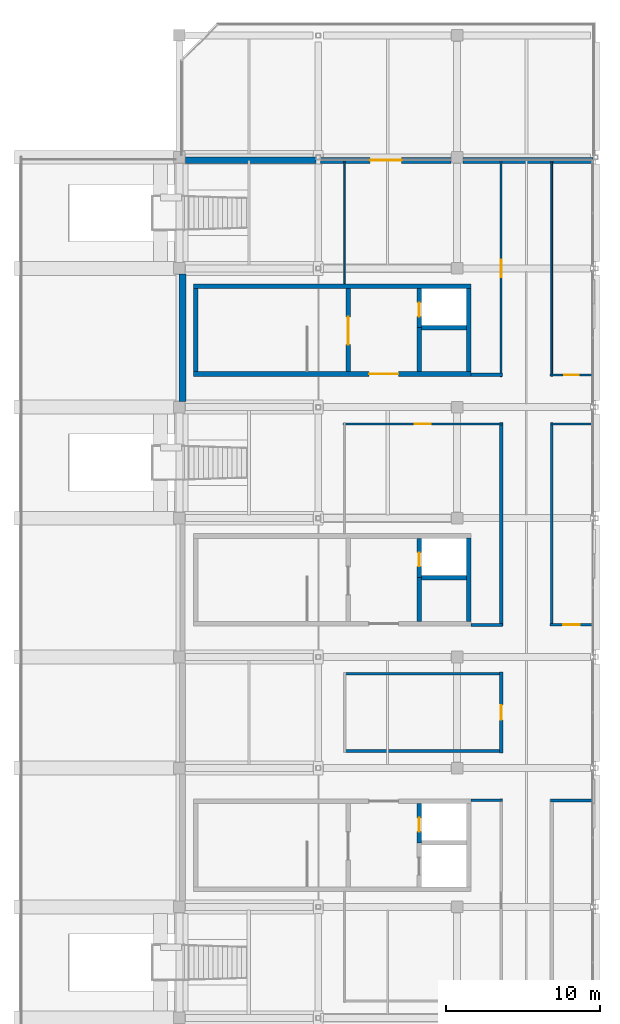
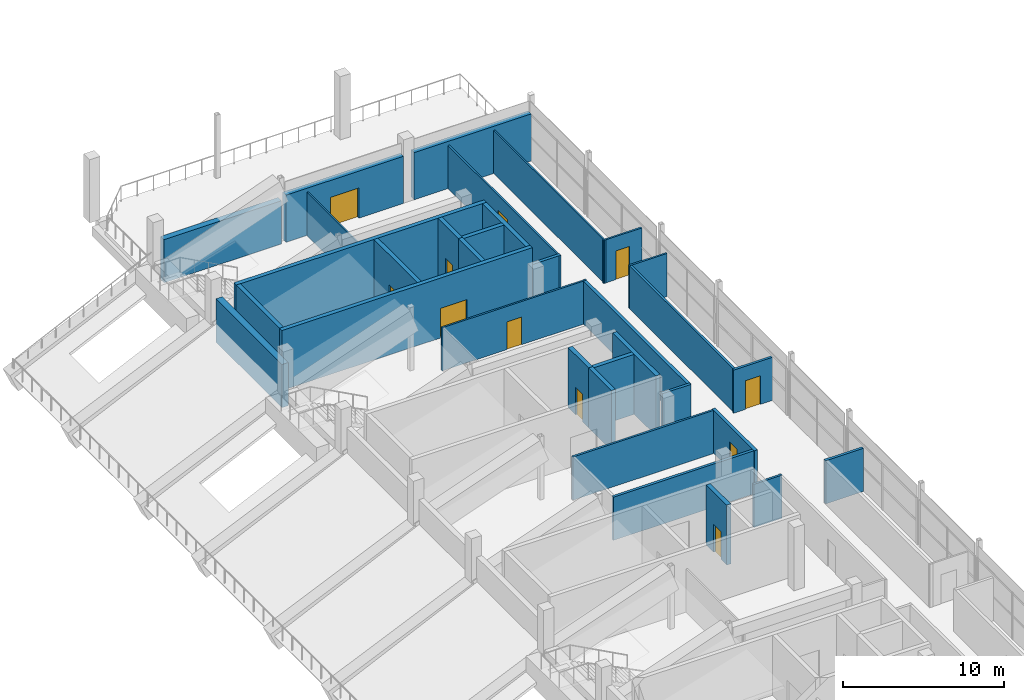
# One storey, part 54 of 66: 33 walls, 11 doors, 11 openings.
"""IFC4 building model written with IfcOpenShell, lengths in metres."""

from ifc_helpers import new_model, si_unit, direction, frame, frame_2d, origin, place, context, subcontext, project, spatial, rectangle, extrude, material, layer, layer_set, type_object, element, fill, save


model = new_model("IFC4")

# Units and contexts
model_context = context("Model", 3, precision=1e-05, world=origin(), true_north=direction((0.0, 1.0)))
body_context = subcontext(model_context, "Body", "Model", "MODEL_VIEW")
ifc_project = project(units=[si_unit("LENGTHUNIT", "METRE"), si_unit("AREAUNIT", "SQUARE_METRE"), si_unit("VOLUMEUNIT", "CUBIC_METRE"), si_unit("PLANEANGLEUNIT", "RADIAN"), si_unit("MASSUNIT", "GRAM", prefix="KILO"), si_unit("THERMODYNAMICTEMPERATUREUNIT", "KELVIN"), si_unit("POWERUNIT", "WATT")], contexts=[model_context])

# Site, building, storey
site_placement = place(None, origin())
site = spatial("IfcSite", under=ifc_project, at=site_placement, CompositionType="ELEMENT")
building_placement = place(site_placement, origin())
building = spatial("IfcBuilding", under=site, at=building_placement, Name="Sindhuravela Promenade Stadium", CompositionType="ELEMENT")
storey_placement = place(building_placement, frame((0.0, 0.0, 19.199951171875)))
storey = spatial("IfcBuildingStorey", under=building, at=storey_placement, Name="L04", CompositionType="ELEMENT", Elevation=19.199951171875)

# Wall
ifc_material_1 = material(Name="Terracotta clay brick masonry (15 MPa)", Category="masonry")
ifc_layer_1 = layer(ifc_material_1, 0.3798828125)
ifc_layer_set_1 = layer_set([ifc_layer_1], Name="Terracotta clay brick masonry (15 MPa)")
wall_type_1 = type_object("IfcWallType", Name="EX-WL-BRK380", PredefinedType="SOLIDWALL", material=ifc_layer_set_1)
wall_1_placement = place(storey_placement, frame((198.3798828125, 116.800048828125, 0.0), z_axis=(0.0, 0.0, 1.0), x_axis=(1.0, 0.0, 0.0)))
element("IfcWall", 1, at=wall_1_placement, inside=storey, type_object=wall_type_1, Name="Exterior masonry wall EW04 EAST L04", PredefinedType="SOLIDWALL", context=body_context, shape_type="SweptSolid", body=[
    extrude(rectangle(XDim=8.420166015625, YDim=0.3798828125, at=frame_2d((4.2099609375, 0.0))), origin(), (0.0, 0.0, 1.0), 3.580078125),
])

# Wall, opening, door
ifc_layer_2 = layer(ifc_material_1, 0.39990234375)
ifc_layer_set_2 = layer_set([ifc_layer_2], Name="Terracotta clay brick masonry (15 MPa)")
wall_type_2 = type_object("IfcWallType", Name="EX-WL-BRK400", PredefinedType="SOLIDWALL", material=ifc_layer_set_2)
wall_2_placement = place(storey_placement, frame((189.155029296875, 116.800048828125, 0.0), z_axis=(0.0, 0.0, 1.0), x_axis=(1.0, 0.0, 0.0)))
wall_2 = element("IfcWall", 2, at=wall_2_placement, inside=storey, type_object=wall_type_2, Name="Exterior masonry wall EW03 EAST L04", PredefinedType="SOLIDWALL", context=body_context, shape_type="SweptSolid", body=[
    extrude(rectangle(XDim=8.465087890625, YDim=0.39990234375, at=frame_2d((4.232421875, 0.0))), origin(), (0.0, 0.0, 1.0), 3.580078125),
])
opening_1_placement = place(wall_2_placement, frame((3.20751953125, 0.0, 0.0)))
opening_1 = element("IfcOpeningElement", 3, at=opening_1_placement, cuts=wall_2, Name="Opening TD01", PredefinedType="OPENING", context=body_context, shape_type="SweptSolid", body=[
    extrude(rectangle(XDim=2.050048828125, YDim=2.300048828125, at=frame_2d((1.02490234375, 1.14990234375))), frame((0.0, 0.2099609375, 0.0), z_axis=(0.0, -1.0, 0.0), x_axis=(1.0, 0.0, 0.0)), (0.0, 0.0, 1.0), 0.419921875),
])
ifc_material_2 = material(Name="Anodised architectural aluminium 6063-T6", Category="aluminium")
door_type_1 = type_object("IfcDoorType", Name="DR-TER-2050x2300", OperationType="DOUBLE_DOOR_SINGLE_SWING", PredefinedType="DOOR", material=ifc_material_2)
door_1_placement = place(opening_1_placement, origin())
door_1 = element("IfcDoor", 4, at=door_1_placement, inside=storey, type_object=door_type_1, Name="Terrace access door East Upper North Planted Roof Garden", OperationType="DOUBLE_DOOR_SINGLE_SWING", OverallHeight=2.300048828125, OverallWidth=2.050048828125, PredefinedType="DOOR", context=body_context, shape_type="SweptSolid", body=[
    extrude(rectangle(XDim=2.050048828125, YDim=2.300048828125, at=frame_2d((1.02490234375, 1.14990234375))), frame((0.0, 0.02490234375, 0.0), z_axis=(0.0, -1.0, 0.0), x_axis=(1.0, 0.0, 0.0)), (0.0, 0.0, 1.0), 0.050048828125),
])
fill(opening_1, door_1)

# Walls
ifc_layer_3 = layer(ifc_material_1, 0.419921875)
ifc_layer_set_3 = layer_set([ifc_layer_3], Name="Terracotta clay brick masonry (15 MPa)")
wall_type_3 = type_object("IfcWallType", Name="EX-WL-BRK420", PredefinedType="SOLIDWALL", material=ifc_layer_set_3)
wall_3_placement = place(storey_placement, frame((180.3798828125, 116.800048828125, 0.0), z_axis=(0.0, 0.0, 1.0), x_axis=(1.0, 0.0, 0.0)))
element("IfcWall", 5, at=wall_3_placement, inside=storey, type_object=wall_type_3, Name="Exterior masonry wall EW02 EAST L04", PredefinedType="SOLIDWALL", context=body_context, shape_type="SweptSolid", body=[
    extrude(rectangle(XDim=8.465087890625, YDim=0.419921875, at=frame_2d((4.232421875, 0.0))), origin(), (0.0, 0.0, 1.0), 3.280029296875),
])
ifc_layer_4 = layer(ifc_material_1, 0.4599609375)
ifc_layer_set_4 = layer_set([ifc_layer_4], Name="Terracotta clay brick masonry (15 MPa)")
wall_type_4 = type_object("IfcWallType", Name="EX-WL-BRK460", PredefinedType="SOLIDWALL", material=ifc_layer_set_4)
wall_4_placement = place(storey_placement, frame((180.199951171875, 101.179931640625, 0.0), z_axis=(0.0, 0.0, 1.0), x_axis=(0.0, 1.0, 0.0)))
element("IfcWall", 6, at=wall_4_placement, inside=storey, type_object=wall_type_4, Name="Exterior masonry wall EW01 EAST L04", PredefinedType="SOLIDWALL", context=body_context, shape_type="SweptSolid", body=[
    extrude(rectangle(XDim=8.239990234375, YDim=0.4599609375, at=frame_2d((4.1201171875, 0.0))), origin(), (0.0, 0.0, 1.0), 3.280029296875),
])
ifc_material_3 = material(Name="Fire-rated gypsum partition board", Category="gypsum")
ifc_layer_5 = layer(ifc_material_3, 0.110107421875)
ifc_layer_set_5 = layer_set([ifc_layer_5], Name="Fire-rated gypsum partition board")
wall_type_5 = type_object("IfcWallType", Name="IN-WL-PAR110", PredefinedType="PARTITIONING", material=ifc_layer_set_5)
wall_5_placement = place(storey_placement, frame((190.7099609375, 108.802001953125, 0.0), z_axis=(0.0, 0.0, 1.0), x_axis=(0.0, 1.0, 0.0)))
element("IfcWall", 7, at=wall_5_placement, inside=storey, type_object=wall_type_5, Name="Interior partition IW06 EAST L04", PredefinedType="PARTITIONING", context=body_context, shape_type="SweptSolid", body=[
    extrude(rectangle(XDim=7.9580078125, YDim=0.110107421875, at=frame_2d((3.97900390625, 0.0))), origin(), (0.0, 0.0, 1.0), 3.280029296875),
])
wall_6_placement = place(storey_placement, frame((204.139892578125, 102.81005859375, 0.0), z_axis=(0.0, 0.0, 1.0), x_axis=(0.0, 1.0, 0.0)))
element("IfcWall", 8, at=wall_6_placement, inside=storey, type_object=wall_type_5, Name="Interior partition IW06 EAST L04", PredefinedType="PARTITIONING", context=body_context, shape_type="SweptSolid", body=[
    extrude(rectangle(XDim=13.949951171875, YDim=0.110107421875, at=frame_2d((6.97509765625, 0.0))), origin(), (0.0, 0.0, 1.0), 3.280029296875),
])

# Wall, opening, door
ifc_layer_6 = layer(ifc_material_3, 0.1298828125)
ifc_layer_set_6 = layer_set([ifc_layer_6], Name="Fire-rated gypsum partition board")
wall_type_6 = type_object("IfcWallType", Name="IN-WL-PAR130", PredefinedType="PARTITIONING", material=ifc_layer_set_6)
wall_7_placement = place(storey_placement, frame((200.860107421875, 102.77001953125, 0.0), z_axis=(0.0, 0.0, 1.0), x_axis=(0.0, 1.0, 0.0)))
wall_7 = element("IfcWall", 9, at=wall_7_placement, inside=storey, type_object=wall_type_6, Name="Corridor partition IW05 East Upper Concourse Hall", PredefinedType="PARTITIONING", context=body_context, shape_type="SweptSolid", body=[
    extrude(rectangle(XDim=14.030029296875, YDim=0.1298828125, at=frame_2d((7.01513671875, 0.0))), origin(), (0.0, 0.0, 1.0), 3.280029296875),
])
opening_2_placement = place(wall_7_placement, frame((6.43994140625, 0.0, 0.0)))
opening_2 = element("IfcOpeningElement", 10, at=opening_2_placement, cuts=wall_7, Name="Opening ID05", PredefinedType="OPENING", context=body_context, shape_type="SweptSolid", body=[
    extrude(rectangle(XDim=1.14990234375, YDim=2.14990234375, at=frame_2d((0.574951171875, 1.074951171875))), frame((0.0, 0.074951171875, 0.0), z_axis=(0.0, -1.0, 0.0), x_axis=(1.0, 0.0, 0.0)), (0.0, 0.0, 1.0), 0.14990234375),
])
ifc_material_4 = material(Name="Architectural teak timber leaf", Category="wood")
door_type_2 = type_object("IfcDoorType", Name="DR-INT-1150x2150", OperationType="NOTDEFINED", PredefinedType="DOOR", material=ifc_material_4)
door_2_placement = place(opening_2_placement, origin())
door_2 = element("IfcDoor", 11, at=door_2_placement, inside=storey, type_object=door_type_2, Name="East Upper Concourse Hall door", OperationType="SINGLE_SWING_LEFT", OverallHeight=2.14990234375, OverallWidth=1.14990234375, PredefinedType="DOOR", context=body_context, shape_type="SweptSolid", body=[
    extrude(rectangle(XDim=1.14990234375, YDim=2.14990234375, at=frame_2d((0.574951171875, 1.074951171875))), frame((0.0, 0.02490234375, 0.0), z_axis=(0.0, -1.0, 0.0), x_axis=(1.0, 0.0, 0.0)), (0.0, 0.0, 1.0), 0.050048828125),
])
fill(opening_2, door_2)

wall_8_placement = place(storey_placement, frame((200.97998046875, 99.7099609375, 0.0), z_axis=(0.0, 0.0, 1.0), x_axis=(-1.0, 0.0, 0.0)))
wall_8 = element("IfcWall", 12, at=wall_8_placement, inside=storey, type_object=wall_type_6, Name="Corridor partition IW05 Upper Concourse Food Kiosk E4", PredefinedType="PARTITIONING", context=body_context, shape_type="SweptSolid", body=[
    extrude(rectangle(XDim=10.389892578125, YDim=0.1298828125, at=frame_2d((5.19482421875, 0.0))), origin(), (0.0, 0.0, 1.0), 3.280029296875),
])
opening_3_placement = place(wall_8_placement, frame((4.669921875, 0.0, 0.0)))
opening_3 = element("IfcOpeningElement", 13, at=opening_3_placement, cuts=wall_8, Name="Opening ID07", PredefinedType="OPENING", context=body_context, shape_type="SweptSolid", body=[
    extrude(rectangle(XDim=1.050048828125, YDim=2.10009765625, at=frame_2d((0.52490234375, 1.050048828125))), frame((0.0, 0.074951171875, 0.0), z_axis=(0.0, -1.0, 0.0), x_axis=(1.0, 0.0, 0.0)), (0.0, 0.0, 1.0), 0.14990234375),
])
door_type_3 = type_object("IfcDoorType", Name="DR-INT-1050x2100", OperationType="NOTDEFINED", PredefinedType="DOOR", material=ifc_material_4)
door_3_placement = place(opening_3_placement, origin())
door_3 = element("IfcDoor", 14, at=door_3_placement, inside=storey, type_object=door_type_3, Name="Upper Concourse Food Kiosk E4 door", OperationType="SINGLE_SWING_LEFT", OverallHeight=2.10009765625, OverallWidth=1.050048828125, PredefinedType="DOOR", context=body_context, shape_type="SweptSolid", body=[
    extrude(rectangle(XDim=1.050048828125, YDim=2.10009765625, at=frame_2d((0.52490234375, 1.050048828125))), frame((0.0, 0.02490234375, 0.0), z_axis=(0.0, -1.0, 0.0), x_axis=(1.0, 0.0, 0.0)), (0.0, 0.0, 1.0), 0.050048828125),
])
fill(opening_3, door_3)

wall_9_placement = place(storey_placement, frame((204.02001953125, 102.889892578125, 0.0), z_axis=(0.0, 0.0, 1.0), x_axis=(1.0, 0.0, 0.0)))
wall_9 = element("IfcWall", 15, at=wall_9_placement, inside=storey, type_object=wall_type_6, Name="Corridor partition IW05 Public Toilet Block East L04", PredefinedType="PARTITIONING", context=body_context, shape_type="SweptSolid", body=[
    extrude(rectangle(XDim=2.780029296875, YDim=0.1298828125, at=frame_2d((1.39013671875, 0.0))), origin(), (0.0, 0.0, 1.0), 3.280029296875),
])
opening_4_placement = place(wall_9_placement, frame((0.9150390625, 0.0, 0.0)))
opening_4 = element("IfcOpeningElement", 16, at=opening_4_placement, cuts=wall_9, Name="Opening ID10", PredefinedType="OPENING", context=body_context, shape_type="SweptSolid", body=[
    extrude(rectangle(XDim=0.949951171875, YDim=2.179931640625, at=frame_2d((0.47509765625, 1.08984375))), frame((0.0, 0.074951171875, 0.0), z_axis=(0.0, -1.0, 0.0), x_axis=(1.0, 0.0, 0.0)), (0.0, 0.0, 1.0), 0.14990234375),
])
door_type_4 = type_object("IfcDoorType", Name="DR-INT-950x2180", OperationType="NOTDEFINED", PredefinedType="DOOR", material=ifc_material_4)
door_4_placement = place(opening_4_placement, origin())
door_4 = element("IfcDoor", 17, at=door_4_placement, inside=storey, type_object=door_type_4, Name="Public Toilet Block East L04 door", OperationType="SINGLE_SWING_RIGHT", OverallHeight=2.179931640625, OverallWidth=0.949951171875, PredefinedType="DOOR", context=body_context, shape_type="SweptSolid", body=[
    extrude(rectangle(XDim=0.949951171875, YDim=2.179931640625, at=frame_2d((0.47509765625, 1.08984375))), frame((0.0, 0.02490234375, 0.0), z_axis=(0.0, -1.0, 0.0), x_axis=(1.0, 0.0, 0.0)), (0.0, 0.0, 1.0), 0.050048828125),
])
fill(opening_4, door_4)

# Walls
wall_10_placement = place(storey_placement, frame((204.06005859375, 99.7099609375, 0.0), z_axis=(0.0, 0.0, 1.0), x_axis=(1.0, 0.0, 0.0)))
element("IfcWall", 18, at=wall_10_placement, inside=storey, type_object=wall_type_6, Name="Interior partition IW05 EAST L04", PredefinedType="PARTITIONING", context=body_context, shape_type="SweptSolid", body=[
    extrude(rectangle(XDim=2.70703125, YDim=0.1298828125, at=frame_2d((1.353515625, 0.0))), origin(), (0.0, 0.0, 1.0), 3.280029296875),
])
ifc_layer_7 = layer(ifc_material_3, 0.14990234375)
ifc_layer_set_7 = layer_set([ifc_layer_7], Name="Fire-rated gypsum partition board")
wall_type_7 = type_object("IfcWallType", Name="IN-WL-PAR150", PredefinedType="PARTITIONING", material=ifc_layer_set_7)
wall_11_placement = place(storey_placement, frame((198.902099609375, 75.31005859375, 0.0), z_axis=(0.0, 0.0, 1.0), x_axis=(1.0, 0.0, 0.0)))
element("IfcWall", 19, at=wall_11_placement, inside=storey, type_object=wall_type_7, Name="Interior partition IW04 EAST L04", PredefinedType="PARTITIONING", context=body_context, shape_type="SweptSolid", body=[
    extrude(rectangle(XDim=2.037841796875, YDim=0.14990234375, at=frame_2d((1.01904296875, 0.0))), origin(), (0.0, 0.0, 1.0), 3.280029296875),
])
wall_12_placement = place(storey_placement, frame((190.6298828125, 83.510009765625, 0.0), z_axis=(0.0, 0.0, 1.0), x_axis=(1.0, 0.0, 0.0)))
element("IfcWall", 20, at=wall_12_placement, inside=storey, type_object=wall_type_7, Name="Interior partition IW04 EAST L04", PredefinedType="PARTITIONING", context=body_context, shape_type="SweptSolid", body=[
    extrude(rectangle(XDim=10.31005859375, YDim=0.14990234375, at=frame_2d((5.155029296875, 0.0))), origin(), (0.0, 0.0, 1.0), 3.280029296875),
])
wall_13_placement = place(storey_placement, frame((204.139892578125, 86.610107421875, 0.0), z_axis=(0.0, 0.0, 1.0), x_axis=(0.0, 1.0, 0.0)))
element("IfcWall", 21, at=wall_13_placement, inside=storey, type_object=wall_type_7, Name="Interior partition IW04 EAST L04", PredefinedType="PARTITIONING", context=body_context, shape_type="SweptSolid", body=[
    extrude(rectangle(XDim=13.179931640625, YDim=0.14990234375, at=frame_2d((6.58984375, 0.0))), origin(), (0.0, 0.0, 1.0), 3.280029296875),
])

# Wall, opening, door
ifc_layer_8 = layer(ifc_material_3, 0.175048828125)
ifc_layer_set_8 = layer_set([ifc_layer_8], Name="Fire-rated gypsum partition board")
wall_type_8 = type_object("IfcWallType", Name="IN-WL-PAR175", PredefinedType="PARTITIONING", material=ifc_layer_set_8)
wall_14_placement = place(storey_placement, frame((204.02001953125, 86.68994140625, 0.0), z_axis=(0.0, 0.0, 1.0), x_axis=(1.0, 0.0, 0.0)))
wall_14 = element("IfcWall", 22, at=wall_14_placement, inside=storey, type_object=wall_type_8, Name="Corridor partition IW03 East Upper Viewing Lounge 3", PredefinedType="PARTITIONING", context=body_context, shape_type="SweptSolid", body=[
    extrude(rectangle(XDim=2.780029296875, YDim=0.175048828125, at=frame_2d((1.39013671875, 0.0))), origin(), (0.0, 0.0, 1.0), 3.280029296875),
])
opening_5_placement = place(wall_14_placement, frame((0.85009765625, 0.0, 0.0)))
opening_5 = element("IfcOpeningElement", 23, at=opening_5_placement, cuts=wall_14, Name="Opening ID12", PredefinedType="OPENING", context=body_context, shape_type="SweptSolid", body=[
    extrude(rectangle(XDim=1.080078125, YDim=2.179931640625, at=frame_2d((0.5400390625, 1.08984375))), frame((0.0, 0.097412109375, 0.0), z_axis=(0.0, -1.0, 0.0), x_axis=(1.0, 0.0, 0.0)), (0.0, 0.0, 1.0), 0.195068359375),
])
door_type_5 = type_object("IfcDoorType", Name="DR-INT-1080x2180", OperationType="NOTDEFINED", PredefinedType="DOOR", material=ifc_material_4)
door_5_placement = place(opening_5_placement, origin())
door_5 = element("IfcDoor", 24, at=door_5_placement, inside=storey, type_object=door_type_5, Name="East Upper Viewing Lounge 3 door", OperationType="SINGLE_SWING_RIGHT", OverallHeight=2.179931640625, OverallWidth=1.080078125, PredefinedType="DOOR", context=body_context, shape_type="SweptSolid", body=[
    extrude(rectangle(XDim=1.080078125, YDim=2.179931640625, at=frame_2d((0.5400390625, 1.08984375))), frame((0.0, 0.02490234375, 0.0), z_axis=(0.0, -1.0, 0.0), x_axis=(1.0, 0.0, 0.0)), (0.0, 0.0, 1.0), 0.050048828125),
])
fill(opening_5, door_5)

# Walls
ifc_layer_9 = layer(ifc_material_3, 0.195068359375)
ifc_layer_set_9 = layer_set([ifc_layer_9], Name="Fire-rated gypsum partition board")
wall_type_9 = type_object("IfcWallType", Name="IN-WL-PAR195", PredefinedType="PARTITIONING", material=ifc_layer_set_9)
wall_15_placement = place(storey_placement, frame((200.93994140625, 86.68994140625, 0.0), z_axis=(0.0, 0.0, 1.0), x_axis=(-1.0, 0.0, 0.0)))
element("IfcWall", 25, at=wall_15_placement, inside=storey, type_object=wall_type_9, Name="Interior partition IW02 EAST L04", PredefinedType="PARTITIONING", context=body_context, shape_type="SweptSolid", body=[
    extrude(rectangle(XDim=2.037841796875, YDim=0.195068359375, at=frame_2d((1.01904296875, 0.0))), origin(), (0.0, 0.0, 1.0), 3.280029296875),
])
wall_16_placement = place(storey_placement, frame((200.93994140625, 78.489990234375, 0.0), z_axis=(0.0, 0.0, 1.0), x_axis=(-1.0, 0.0, 0.0)))
element("IfcWall", 26, at=wall_16_placement, inside=storey, type_object=wall_type_9, Name="Interior partition IW02 EAST L04", PredefinedType="PARTITIONING", context=body_context, shape_type="SweptSolid", body=[
    extrude(rectangle(XDim=10.31005859375, YDim=0.195068359375, at=frame_2d((5.155029296875, 0.0))), origin(), (0.0, 0.0, 1.0), 3.280029296875),
])
wall_17_placement = place(storey_placement, frame((204.06005859375, 75.31005859375, 0.0), z_axis=(0.0, 0.0, 1.0), x_axis=(1.0, 0.0, 0.0)))
element("IfcWall", 27, at=wall_17_placement, inside=storey, type_object=wall_type_9, Name="Interior partition IW02 EAST L04", PredefinedType="PARTITIONING", context=body_context, shape_type="SweptSolid", body=[
    extrude(rectangle(XDim=2.70703125, YDim=0.195068359375, at=frame_2d((1.353515625, 0.0))), origin(), (0.0, 0.0, 1.0), 3.280029296875),
])
ifc_layer_10 = layer(ifc_material_3, 0.219970703125)
ifc_layer_set_10 = layer_set([ifc_layer_10], Name="Fire-rated gypsum partition board")
wall_type_10 = type_object("IfcWallType", Name="IN-WL-PAR220", PredefinedType="PARTITIONING", material=ifc_layer_set_10)
wall_18_placement = place(storey_placement, frame((200.93994140625, 102.889892578125, 0.0), z_axis=(0.0, 0.0, 1.0), x_axis=(-1.0, 0.0, 0.0)))
element("IfcWall", 28, at=wall_18_placement, inside=storey, type_object=wall_type_10, Name="Interior partition IW01 EAST L04", PredefinedType="PARTITIONING", context=body_context, shape_type="SweptSolid", body=[
    extrude(rectangle(XDim=2.037841796875, YDim=0.219970703125, at=frame_2d((1.01904296875, 0.0))), origin(), (0.0, 0.0, 1.0), 3.280029296875),
])
wall_19_placement = place(storey_placement, frame((200.860107421875, 99.7900390625, 0.0), z_axis=(0.0, 0.0, 1.0), x_axis=(0.0, -1.0, 0.0)))
element("IfcWall", 29, at=wall_19_placement, inside=storey, type_object=wall_type_10, Name="Interior partition IW01 EAST L04", PredefinedType="PARTITIONING", context=body_context, shape_type="SweptSolid", body=[
    extrude(rectangle(XDim=13.179931640625, YDim=0.219970703125, at=frame_2d((6.58984375, 0.0))), origin(), (0.0, 0.0, 1.0), 3.280029296875),
])

# Wall, opening, door
wall_20_placement = place(storey_placement, frame((200.860107421875, 78.3701171875, 0.0), z_axis=(0.0, 0.0, 1.0), x_axis=(0.0, 1.0, 0.0)))
wall_20 = element("IfcWall", 30, at=wall_20_placement, inside=storey, type_object=wall_type_10, Name="Corridor partition IW01 Accessible WC East L04", PredefinedType="PARTITIONING", context=body_context, shape_type="SweptSolid", body=[
    extrude(rectangle(XDim=5.259765625, YDim=0.219970703125, at=frame_2d((2.6298828125, 0.0))), origin(), (0.0, 0.0, 1.0), 3.280029296875),
])
opening_6_placement = place(wall_20_placement, frame((2.155029296875, 0.0, 0.0)))
opening_6 = element("IfcOpeningElement", 31, at=opening_6_placement, cuts=wall_20, Name="Opening ID09", PredefinedType="OPENING", context=body_context, shape_type="SweptSolid", body=[
    extrude(rectangle(XDim=0.949951171875, YDim=2.10009765625, at=frame_2d((0.47509765625, 1.050048828125))), frame((0.0, 0.119873046875, 0.0), z_axis=(0.0, -1.0, 0.0), x_axis=(1.0, 0.0, 0.0)), (0.0, 0.0, 1.0), 0.239990234375),
])
door_type_6 = type_object("IfcDoorType", Name="DR-INT-950x2100", OperationType="NOTDEFINED", PredefinedType="DOOR", material=ifc_material_4)
door_6_placement = place(opening_6_placement, origin())
door_6 = element("IfcDoor", 32, at=door_6_placement, inside=storey, type_object=door_type_6, Name="Accessible WC East L04 door", OperationType="SINGLE_SWING_LEFT", OverallHeight=2.10009765625, OverallWidth=0.949951171875, PredefinedType="DOOR", context=body_context, shape_type="SweptSolid", body=[
    extrude(rectangle(XDim=0.949951171875, YDim=2.10009765625, at=frame_2d((0.47509765625, 1.050048828125))), frame((0.0, 0.02490234375, 0.0), z_axis=(0.0, -1.0, 0.0), x_axis=(1.0, 0.0, 0.0)), (0.0, 0.0, 1.0), 0.050048828125),
])
fill(opening_6, door_6)

ifc_material_5 = material(Name="Concrete M50", Category="concrete")
ifc_layer_11 = layer(ifc_material_5, 0.300048828125)
ifc_layer_set_11 = layer_set([ifc_layer_11], Name="Concrete M50")
wall_type_11 = type_object("IfcWallType", Name="RC-SW-300", PredefinedType="SHEAR", material=ifc_layer_set_11)
wall_21_placement = place(storey_placement, frame((195.550048828125, 72.550048828125, 0.0), z_axis=(0.0, 0.0, 1.0), x_axis=(0.0, 1.0, 0.0)))
wall_21 = element("IfcWall", 33, at=wall_21_placement, inside=storey, type_object=wall_type_11, Name="Core shear wall C06-RSR (L04)", PredefinedType="SHEAR", context=body_context, shape_type="SweptSolid", body=[
    extrude(rectangle(XDim=2.550048828125, YDim=0.300048828125, at=frame_2d((1.27490234375, 0.0))), origin(), (0.0, 0.0, 1.0), 4.554931640625),
])
opening_7_placement = place(wall_21_placement, frame((0.72509765625, 0.0, 0.0)))
opening_7 = element("IfcOpeningElement", 34, at=opening_7_placement, cuts=wall_21, Name="Opening FD03", PredefinedType="OPENING", context=body_context, shape_type="SweptSolid", body=[
    extrude(rectangle(XDim=0.89990234375, YDim=2.10009765625, at=frame_2d((0.449951171875, 1.050048828125))), frame((0.0, 0.159912109375, 0.0), z_axis=(0.0, -1.0, 0.0), x_axis=(1.0, 0.0, 0.0)), (0.0, 0.0, 1.0), 0.320068359375),
])
ifc_material_6 = material(Name="Architectural wrought steel E350", Category="steel")
door_type_7 = type_object("IfcDoorType", Name="DR-RSR-900x2100", OperationType="NOTDEFINED", PredefinedType="DOOR", material=ifc_material_6)
door_7_placement = place(opening_7_placement, origin())
door_7 = element("IfcDoor", 35, at=door_7_placement, inside=storey, type_object=door_type_7, Name="Riser shaft access door C06 (L04)", OperationType="SINGLE_SWING_LEFT", OverallHeight=2.10009765625, OverallWidth=0.89990234375, PredefinedType="DOOR", context=body_context, shape_type="SweptSolid", body=[
    extrude(rectangle(XDim=0.89990234375, YDim=2.10009765625, at=frame_2d((0.449951171875, 1.050048828125))), frame((0.0, 0.02490234375, 0.0), z_axis=(0.0, -1.0, 0.0), x_axis=(1.0, 0.0, 0.0)), (0.0, 0.0, 1.0), 0.050048828125),
])
fill(opening_7, door_7)

# Walls
wall_22_placement = place(storey_placement, frame((198.75, 86.89990234375, 0.0), z_axis=(0.0, 0.0, 1.0), x_axis=(0.0, 1.0, 0.0)))
element("IfcWall", 36, at=wall_22_placement, inside=storey, type_object=wall_type_11, Name="Core shear wall C07-E (L04)", PredefinedType="SHEAR", context=body_context, shape_type="SweptSolid", body=[
    extrude(rectangle(XDim=5.400146484375, YDim=0.300048828125, at=frame_2d((2.7001953125, 0.0))), origin(), (0.0, 0.0, 1.0), 4.554931640625),
])
wall_23_placement = place(storey_placement, frame((195.550048828125, 86.89990234375, 0.0), z_axis=(0.0, 0.0, 1.0), x_axis=(0.0, 1.0, 0.0)))
element("IfcWall", 37, at=wall_23_placement, inside=storey, type_object=wall_type_11, Name="Core shear wall C07-LFT (L04)", PredefinedType="SHEAR", context=body_context, shape_type="SweptSolid", body=[
    extrude(rectangle(XDim=2.85009765625, YDim=0.300048828125, at=frame_2d((1.425048828125, 0.0))), origin(), (0.0, 0.0, 1.0), 4.554931640625),
])

# Wall, opening, door
wall_24_placement = place(storey_placement, frame((195.550048828125, 89.75, 0.0), z_axis=(0.0, 0.0, 1.0), x_axis=(0.0, 1.0, 0.0)))
wall_24 = element("IfcWall", 38, at=wall_24_placement, inside=storey, type_object=wall_type_11, Name="Core shear wall C07-RSR (L04)", PredefinedType="SHEAR", context=body_context, shape_type="SweptSolid", body=[
    extrude(rectangle(XDim=2.550048828125, YDim=0.300048828125, at=frame_2d((1.27490234375, 0.0))), origin(), (0.0, 0.0, 1.0), 4.554931640625),
])
opening_8_placement = place(wall_24_placement, frame((0.72509765625, 0.0, 0.0)))
opening_8 = element("IfcOpeningElement", 39, at=opening_8_placement, cuts=wall_24, Name="Opening FD03", PredefinedType="OPENING", context=body_context, shape_type="SweptSolid", body=[
    extrude(rectangle(XDim=0.89990234375, YDim=2.10009765625, at=frame_2d((0.449951171875, 1.050048828125))), frame((0.0, 0.159912109375, 0.0), z_axis=(0.0, -1.0, 0.0), x_axis=(1.0, 0.0, 0.0)), (0.0, 0.0, 1.0), 0.320068359375),
])
door_8_placement = place(opening_8_placement, origin())
door_8 = element("IfcDoor", 40, at=door_8_placement, inside=storey, type_object=door_type_7, Name="Riser shaft access door C07 (L04)", OperationType="SINGLE_SWING_LEFT", OverallHeight=2.10009765625, OverallWidth=0.89990234375, PredefinedType="DOOR", context=body_context, shape_type="SweptSolid", body=[
    extrude(rectangle(XDim=0.89990234375, YDim=2.10009765625, at=frame_2d((0.449951171875, 1.050048828125))), frame((0.0, 0.02490234375, 0.0), z_axis=(0.0, -1.0, 0.0), x_axis=(1.0, 0.0, 0.0)), (0.0, 0.0, 1.0), 0.050048828125),
])
fill(opening_8, door_8)

# Wall
wall_25_placement = place(storey_placement, frame((195.699951171875, 89.75, 0.0), z_axis=(0.0, 0.0, 1.0), x_axis=(1.0, 0.0, 0.0)))
element("IfcWall", 41, at=wall_25_placement, inside=storey, type_object=wall_type_11, Name="Core shear wall C07-DIV (L04)", PredefinedType="SHEAR", context=body_context, shape_type="SweptSolid", body=[
    extrude(rectangle(XDim=2.900146484375, YDim=0.300048828125, at=frame_2d((1.4501953125, 0.0))), origin(), (0.0, 0.0, 1.0), 4.554931640625),
])

# Wall, opening, door
wall_26_placement = place(storey_placement, frame((180.89990234375, 102.949951171875, 0.0), z_axis=(0.0, 0.0, 1.0), x_axis=(1.0, 0.0, 0.0)))
wall_26 = element("IfcWall", 42, at=wall_26_placement, inside=storey, type_object=wall_type_11, Name="Core shear wall C08-S (L04)", PredefinedType="SHEAR", context=body_context, shape_type="SweptSolid", body=[
    extrude(rectangle(XDim=18.0, YDim=0.300048828125, at=frame_2d((9.0, 0.0))), origin(), (0.0, 0.0, 1.0), 4.554931640625),
])
opening_9_placement = place(wall_26_placement, frame((11.39990234375, 0.0, 0.0)))
opening_9 = element("IfcOpeningElement", 43, at=opening_9_placement, cuts=wall_26, Name="Opening FD02", PredefinedType="OPENING", context=body_context, shape_type="SweptSolid", body=[
    extrude(rectangle(XDim=1.89990234375, YDim=2.25, at=frame_2d((0.949951171875, 1.125))), frame((0.0, 0.159912109375, 0.0), z_axis=(0.0, -1.0, 0.0), x_axis=(1.0, 0.0, 0.0)), (0.0, 0.0, 1.0), 0.320068359375),
])
door_type_8 = type_object("IfcDoorType", Name="DR-LOB-1900x2250", OperationType="DOUBLE_DOOR_SINGLE_SWING", PredefinedType="DOOR", material=ifc_material_6)
door_9_placement = place(opening_9_placement, origin())
door_9 = element("IfcDoor", 44, at=door_9_placement, inside=storey, type_object=door_type_8, Name="Protected lobby entrance door C08 (L04)", OperationType="DOUBLE_DOOR_SINGLE_SWING", OverallHeight=2.25, OverallWidth=1.89990234375, PredefinedType="DOOR", context=body_context, shape_type="SweptSolid", body=[
    extrude(rectangle(XDim=1.89990234375, YDim=2.25, at=frame_2d((0.949951171875, 1.125))), frame((0.0, 0.02490234375, 0.0), z_axis=(0.0, -1.0, 0.0), x_axis=(1.0, 0.0, 0.0)), (0.0, 0.0, 1.0), 0.050048828125),
])
fill(opening_9, door_9)

# Walls
wall_27_placement = place(storey_placement, frame((198.89990234375, 108.64990234375, 0.0), z_axis=(0.0, 0.0, 1.0), x_axis=(-1.0, 0.0, 0.0)))
element("IfcWall", 45, at=wall_27_placement, inside=storey, type_object=wall_type_11, Name="Core shear wall C08-N (L04)", PredefinedType="SHEAR", context=body_context, shape_type="SweptSolid", body=[
    extrude(rectangle(XDim=18.0, YDim=0.300048828125, at=frame_2d((9.0, 0.0))), origin(), (0.0, 0.0, 1.0), 4.554931640625),
])
for number, where, z_axis, x_axis, name in (
    (46, (181.050048828125, 108.5, 0.0), (0.0, 0.0, 1.0), (0.0, -1.0, 0.0), "Core shear wall C08-W (L04)"),
    (47, (198.75, 103.10009765625, 0.0), (0.0, 0.0, 1.0), (0.0, 1.0, 0.0), "Core shear wall C08-E (L04)"),
):
    element("IfcWall", number, at=place(storey_placement, frame(where, z_axis=z_axis, x_axis=x_axis)), inside=storey, type_object=wall_type_11, Name=name, PredefinedType="SHEAR", context=body_context, shape_type="SweptSolid", body=[
        extrude(rectangle(XDim=5.39990234375, YDim=0.300048828125, at=frame_2d((2.699951171875, 0.0))), origin(), (0.0, 0.0, 1.0), 4.554931640625),
    ])

# Wall, opening, door
wall_28_placement = place(storey_placement, frame((190.949951171875, 103.10009765625, 0.0), z_axis=(0.0, 0.0, 1.0), x_axis=(0.0, 1.0, 0.0)))
wall_28 = element("IfcWall", 48, at=wall_28_placement, inside=storey, type_object=wall_type_11, Name="Core shear wall C08-ST (L04)", PredefinedType="SHEAR", context=body_context, shape_type="SweptSolid", body=[
    extrude(rectangle(XDim=5.39990234375, YDim=0.300048828125, at=frame_2d((2.699951171875, 0.0))), origin(), (0.0, 0.0, 1.0), 4.554931640625),
])
opening_10_placement = place(wall_28_placement, frame((1.75, 0.0, 0.0)))
opening_10 = element("IfcOpeningElement", 49, at=opening_10_placement, cuts=wall_28, Name="Opening FD01", PredefinedType="OPENING", context=body_context, shape_type="SweptSolid", body=[
    extrude(rectangle(XDim=1.800048828125, YDim=2.25, at=frame_2d((0.89990234375, 1.125))), frame((0.0, 0.159912109375, 0.0), z_axis=(0.0, -1.0, 0.0), x_axis=(1.0, 0.0, 0.0)), (0.0, 0.0, 1.0), 0.320068359375),
])
door_type_9 = type_object("IfcDoorType", Name="DR-CORE-1800x2250", OperationType="DOUBLE_DOOR_SINGLE_SWING", PredefinedType="DOOR", material=ifc_material_6)
door_10_placement = place(opening_10_placement, origin())
door_10 = element("IfcDoor", 50, at=door_10_placement, inside=storey, type_object=door_type_9, Name="Stair ST08 lobby fire door (L04)", OperationType="DOUBLE_DOOR_SINGLE_SWING", OverallHeight=2.25, OverallWidth=1.800048828125, PredefinedType="DOOR", context=body_context, shape_type="SweptSolid", body=[
    extrude(rectangle(XDim=1.800048828125, YDim=2.25, at=frame_2d((0.89990234375, 1.125))), frame((0.0, 0.02490234375, 0.0), z_axis=(0.0, -1.0, 0.0), x_axis=(1.0, 0.0, 0.0)), (0.0, 0.0, 1.0), 0.050048828125),
])
fill(opening_10, door_10)

# Wall
wall_29_placement = place(storey_placement, frame((195.550048828125, 103.10009765625, 0.0), z_axis=(0.0, 0.0, 1.0), x_axis=(0.0, 1.0, 0.0)))
element("IfcWall", 51, at=wall_29_placement, inside=storey, type_object=wall_type_11, Name="Core shear wall C08-LFT (L04)", PredefinedType="SHEAR", context=body_context, shape_type="SweptSolid", body=[
    extrude(rectangle(XDim=2.849853515625, YDim=0.300048828125, at=frame_2d((1.4248046875, 0.0))), origin(), (0.0, 0.0, 1.0), 4.554931640625),
])

# Wall, opening, door
wall_30_placement = place(storey_placement, frame((195.550048828125, 105.949951171875, 0.0), z_axis=(0.0, 0.0, 1.0), x_axis=(0.0, 1.0, 0.0)))
wall_30 = element("IfcWall", 52, at=wall_30_placement, inside=storey, type_object=wall_type_11, Name="Core shear wall C08-RSR (L04)", PredefinedType="SHEAR", context=body_context, shape_type="SweptSolid", body=[
    extrude(rectangle(XDim=2.550048828125, YDim=0.300048828125, at=frame_2d((1.27490234375, 0.0))), origin(), (0.0, 0.0, 1.0), 4.554931640625),
])
opening_11_placement = place(wall_30_placement, frame((0.72509765625, 0.0, 0.0)))
opening_11 = element("IfcOpeningElement", 53, at=opening_11_placement, cuts=wall_30, Name="Opening FD03", PredefinedType="OPENING", context=body_context, shape_type="SweptSolid", body=[
    extrude(rectangle(XDim=0.89990234375, YDim=2.10009765625, at=frame_2d((0.449951171875, 1.050048828125))), frame((0.0, 0.159912109375, 0.0), z_axis=(0.0, -1.0, 0.0), x_axis=(1.0, 0.0, 0.0)), (0.0, 0.0, 1.0), 0.320068359375),
])
door_11_placement = place(opening_11_placement, origin())
door_11 = element("IfcDoor", 54, at=door_11_placement, inside=storey, type_object=door_type_7, Name="Riser shaft access door C08 (L04)", OperationType="SINGLE_SWING_LEFT", OverallHeight=2.10009765625, OverallWidth=0.89990234375, PredefinedType="DOOR", context=body_context, shape_type="SweptSolid", body=[
    extrude(rectangle(XDim=0.89990234375, YDim=2.10009765625, at=frame_2d((0.449951171875, 1.050048828125))), frame((0.0, 0.02490234375, 0.0), z_axis=(0.0, -1.0, 0.0), x_axis=(1.0, 0.0, 0.0)), (0.0, 0.0, 1.0), 0.050048828125),
])
fill(opening_11, door_11)

# Wall
wall_31_placement = place(storey_placement, frame((195.699951171875, 105.949951171875, 0.0), z_axis=(0.0, 0.0, 1.0), x_axis=(1.0, 0.0, 0.0)))
element("IfcWall", 55, at=wall_31_placement, inside=storey, type_object=wall_type_11, Name="Core shear wall C08-DIV (L04)", PredefinedType="SHEAR", context=body_context, shape_type="SweptSolid", body=[
    extrude(rectangle(XDim=2.900146484375, YDim=0.300048828125, at=frame_2d((1.4501953125, 0.0))), origin(), (0.0, 0.0, 1.0), 4.554931640625),
])

save(model, "model.ifc")
